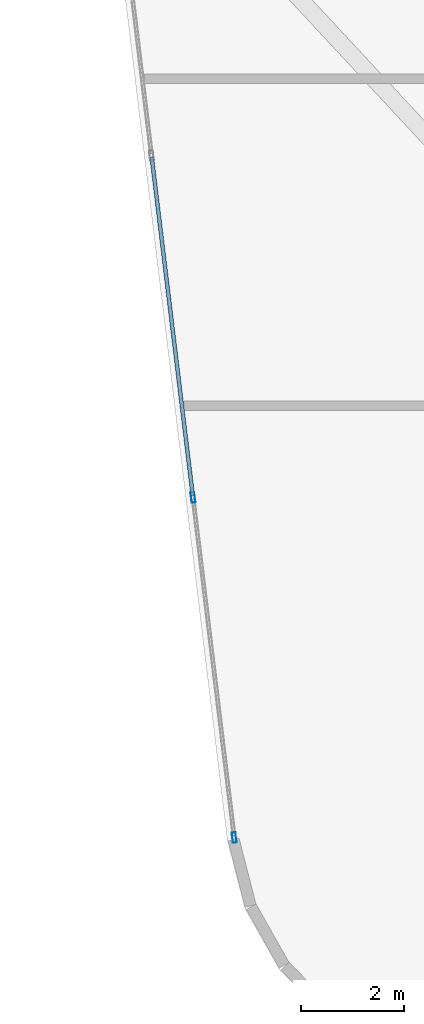
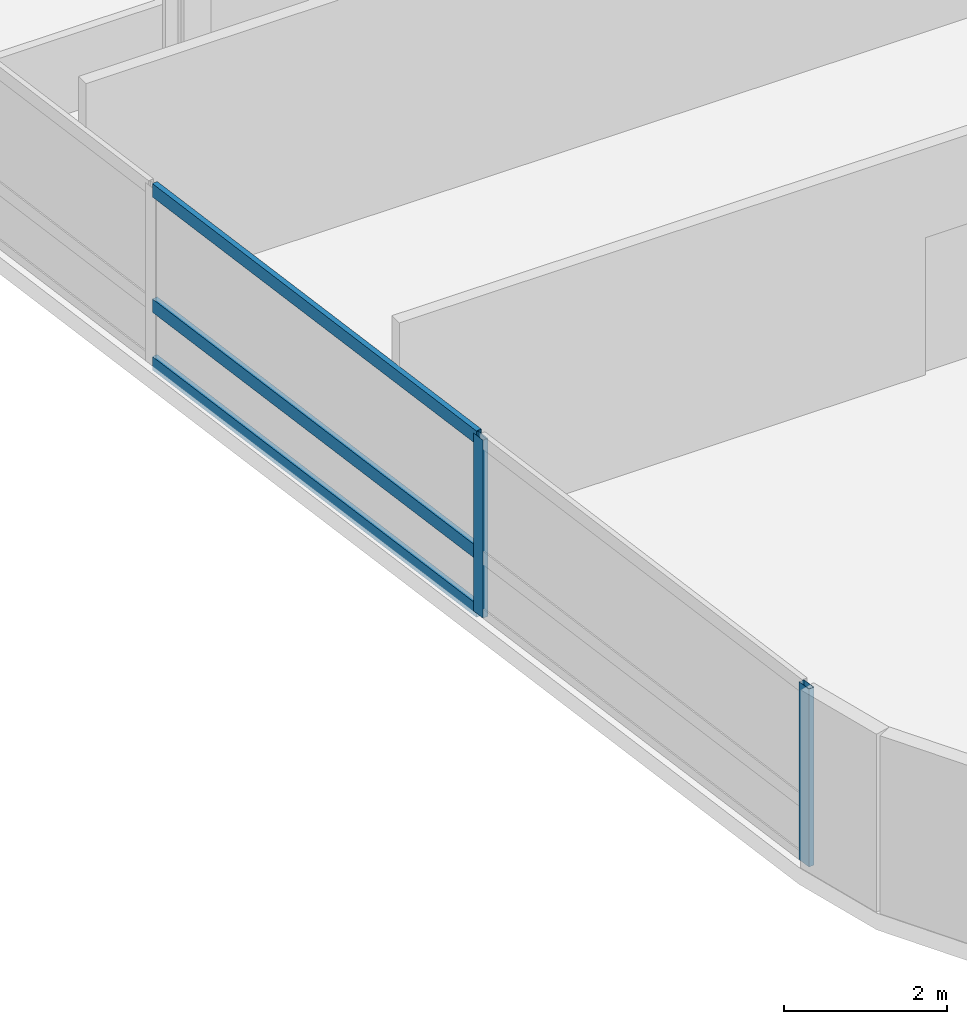
# One storey, part 2 of 22: 5 members, 1 element without a shape of its own.
"""IFC4 building model written with IfcOpenShell, lengths in metres."""

from ifc_helpers import new_model, si_unit, direction, frame, origin, origin_2d, place, context, subcontext, project, spatial, hollow_rectangle, extrude, material, layer, layer_set, material_profile, profile_set, type_object, element, aggregate, save


model = new_model("IFC4")

# Units and contexts
model_context = context("Model", 3, precision=1e-05, world=origin(), true_north=direction((0.0, 1.0)))
body_context = subcontext(model_context, "Body", "Model", "MODEL_VIEW")
ifc_project = project(units=[si_unit("LENGTHUNIT", "METRE"), si_unit("AREAUNIT", "SQUARE_METRE"), si_unit("VOLUMEUNIT", "CUBIC_METRE"), si_unit("PLANEANGLEUNIT", "RADIAN"), si_unit("MASSUNIT", "GRAM", prefix="KILO")], contexts=[model_context])

# Site, building, storey
site_placement = place(None, origin())
site = spatial("IfcSite", under=ifc_project, at=site_placement, CompositionType="ELEMENT")
building_placement = place(site_placement, origin())
building = spatial("IfcBuilding", under=site, at=building_placement, Name="Varnelok Gate Tower", CompositionType="ELEMENT")
storey_placement = place(building_placement, frame((0.0, 0.0, 204.199951171875)))
storey = spatial("IfcBuildingStorey", under=building, at=storey_placement, Name="L52", CompositionType="ELEMENT", Elevation=204.199951171875)

# Curtain wall, members
ifc_material = material(Name="Anodized Aluminum Alloy 6063-T6", Category="aluminium")
ifc_layer = layer(ifc_material, 0.179931640625)
ifc_layer_set = layer_set([ifc_layer], Name="Anodized Aluminum Alloy 6063-T6")
curtain_wall_type = type_object("IfcCurtainWallType", Name="CW4-RESIDENCE-VISION", PredefinedType="USERDEFINED", material=ifc_layer_set)
curtain_wall_placement = place(storey_placement, origin())
curtain_wall = element("IfcCurtainWall", 1, at=curtain_wall_placement, inside=storey, type_object=curtain_wall_type, Name="L52 West End Vision Curtain Wall", ObjectType="UNITISED CURTAIN WALL", PredefinedType="USERDEFINED")
ifc_material_profile_1 = material_profile(ifc_material, hollow_rectangle(XDim=0.074951171875, YDim=0.199951171875, WallThickness=0.00390625, at=origin_2d()), Name="ALU200X75X4")
ifc_profile_set_1 = profile_set([ifc_material_profile_1], Name="Anodized Aluminum Alloy 6063-T6")
member_type_1 = type_object("IfcMemberType", Name="CW-MULL-200", PredefinedType="MULLION", material=ifc_profile_set_1)
member_1_placement = place(storey_placement, frame((6.30078125, 4.52734375, 0.0), z_axis=(0.0, 0.0, 1.0), x_axis=(-0.992732188751, -0.120344511371, 0.0)))
member_1 = element("IfcMember", 2, at=member_1_placement, type_object=member_type_1, Name="CW4 mullion 1", PredefinedType="MULLION", context=body_context, shape_type="SweptSolid", body=[
    extrude(hollow_rectangle(XDim=0.074951171875, YDim=0.199951171875, WallThickness=0.00390625, at=origin_2d()), origin(), (0.0, 0.0, 1.0), 2.66015625),
])
member_2_placement = place(storey_placement, frame((5.50146484375, 11.12158203125, 0.0), z_axis=(0.0, 0.0, 1.0), x_axis=(-0.992732188751, -0.120344511371, 0.0)))
member_2 = element("IfcMember", 3, at=member_2_placement, type_object=member_type_1, Name="CW4 mullion 2", PredefinedType="MULLION", context=body_context, shape_type="SweptSolid", body=[
    extrude(hollow_rectangle(XDim=0.074951171875, YDim=0.199951171875, WallThickness=0.00390625, at=origin_2d()), origin(), (0.0, 0.0, 1.0), 2.66015625),
])
ifc_material_profile_2 = material_profile(ifc_material, hollow_rectangle(XDim=0.074951171875, YDim=0.199951171875, WallThickness=0.00390625, at=origin_2d()), Name="ALU200X75X4")
ifc_profile_set_2 = profile_set([ifc_material_profile_2], Name="Anodized Aluminum Alloy 6063-T6")
member_type_2 = type_object("IfcMemberType", Name="CW-TRAN-200", PredefinedType="USERDEFINED", material=ifc_profile_set_2)
member_3_placement = place(storey_placement, frame((5.496826171875, 11.15869140625, 0.03759765625), z_axis=(-0.120349029092, 0.992731641078, 0.0), x_axis=(-0.992731641078, -0.120349029092, 0.0)))
member_3 = element("IfcMember", 4, at=member_3_placement, type_object=member_type_2, Name="CW4 transom 2.1", ObjectType="TRANSOM", PredefinedType="USERDEFINED", context=body_context, shape_type="SweptSolid", body=[
    extrude(hollow_rectangle(XDim=0.074951171875, YDim=0.199951171875, WallThickness=0.00390625, at=origin_2d()), origin(), (0.0, 0.0, 1.0), 6.605224609375),
])
member_4_placement = place(storey_placement, frame((5.496826171875, 11.15869140625, 0.900146484375), z_axis=(-0.120349029092, 0.992731641078, 0.0), x_axis=(-0.992731641078, -0.120349029092, 0.0)))
member_4 = element("IfcMember", 5, at=member_4_placement, type_object=member_type_2, Name="CW4 transom 2.2", ObjectType="TRANSOM", PredefinedType="USERDEFINED", context=body_context, shape_type="SweptSolid", body=[
    extrude(hollow_rectangle(XDim=0.074951171875, YDim=0.199951171875, WallThickness=0.00390625, at=origin_2d()), origin(), (0.0, 0.0, 1.0), 6.605224609375),
])
member_5_placement = place(storey_placement, frame((5.496826171875, 11.15869140625, 2.62255859375), z_axis=(-0.120349029092, 0.992731641078, 0.0), x_axis=(-0.992731641078, -0.120349029092, 0.0)))
member_5 = element("IfcMember", 6, at=member_5_placement, type_object=member_type_2, Name="CW4 transom 2.3", ObjectType="TRANSOM", PredefinedType="USERDEFINED", context=body_context, shape_type="SweptSolid", body=[
    extrude(hollow_rectangle(XDim=0.074951171875, YDim=0.199951171875, WallThickness=0.00390625, at=origin_2d()), origin(), (0.0, 0.0, 1.0), 6.605224609375),
])
aggregate(curtain_wall, [member_1, member_2, member_3, member_4, member_5])

save(model, "model.ifc")
